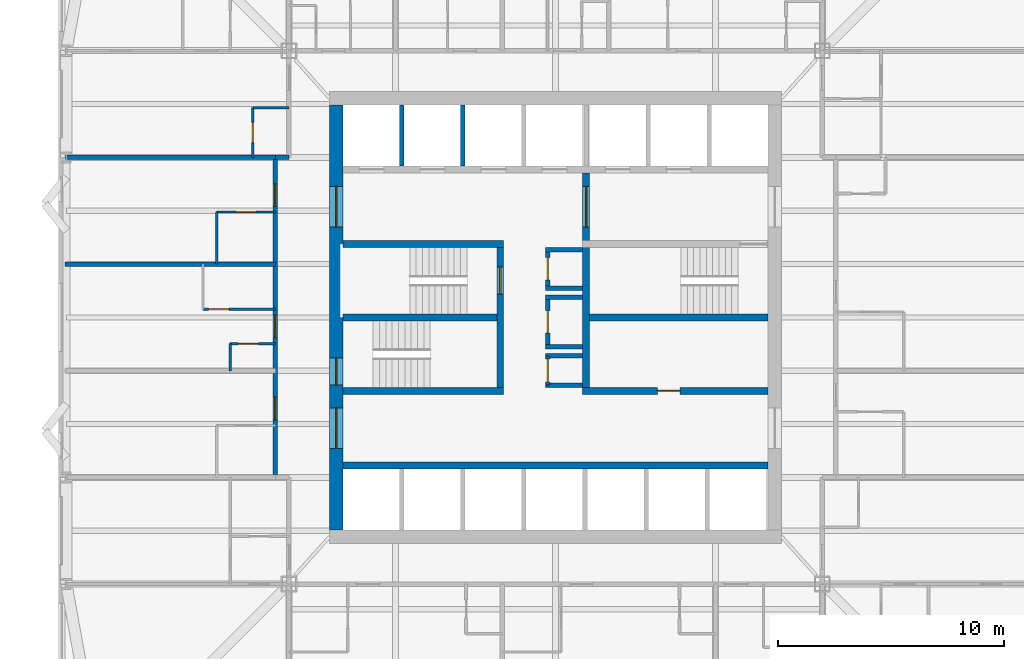
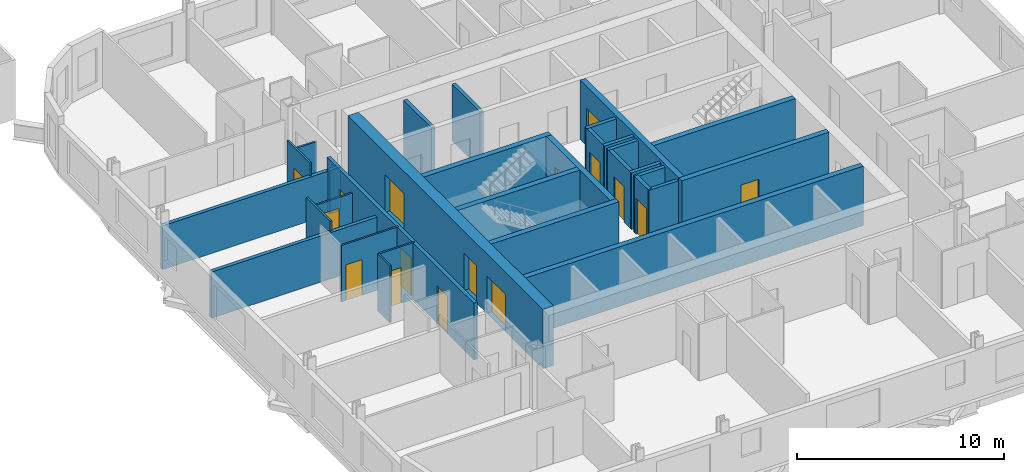
# One storey, part 4 of 9: 31 walls, 16 doors, 16 openings.
"""IFC4 building model written with IfcOpenShell, lengths in metres."""

from ifc_helpers import new_model, si_unit, direction, frame, frame_2d, origin, place, context, subcontext, project, spatial, rectangle, extrude, material, layer, layer_set, type_object, element, fill, save


model = new_model("IFC4")

# Units and contexts
model_context = context("Model", 3, precision=1e-05, world=origin(), true_north=direction((0.0, 1.0)))
body_context = subcontext(model_context, "Body", "Model", "MODEL_VIEW")
ifc_project = project(units=[si_unit("LENGTHUNIT", "METRE"), si_unit("AREAUNIT", "SQUARE_METRE"), si_unit("VOLUMEUNIT", "CUBIC_METRE"), si_unit("PLANEANGLEUNIT", "RADIAN"), si_unit("MASSUNIT", "GRAM", prefix="KILO")], contexts=[model_context])

# Site, building, storey
site_placement = place(None, origin())
site = spatial("IfcSite", under=ifc_project, at=site_placement, CompositionType="ELEMENT")
building_placement = place(site_placement, origin())
building = spatial("IfcBuilding", under=site, at=building_placement, Name="Turquesa Mirador Hotel Tower", CompositionType="ELEMENT")
storey_placement = place(building_placement, frame((0.0, 0.0, 49.5)))
storey = spatial("IfcBuildingStorey", under=building, at=storey_placement, Name="L12", CompositionType="ELEMENT", Elevation=49.5)

# Wall, opening, door
ifc_material_1 = material(Name="Gypsum board on steel studs", Category="steel")
ifc_layer_1 = layer(ifc_material_1, 0.10009765625)
ifc_layer_set_1 = layer_set([ifc_layer_1], Name="BATHROOM WALL 100")
wall_type_1 = type_object("IfcWallType", Name="BATHROOM WALL 100", PredefinedType="PARTITIONING", material=ifc_layer_set_1)
wall_1_placement = place(storey_placement, frame((40.60009765625, 43.840087890625, 0.0), z_axis=(0.0, 0.0, 1.0), x_axis=(1.0, 0.0, 0.0)))
wall_1 = element("IfcWall", 1, at=wall_1_placement, inside=storey, type_object=wall_type_1, Name="Partition L12 001", PredefinedType="PARTITIONING", context=body_context, shape_type="SweptSolid", body=[
    extrude(rectangle(XDim=2.0, YDim=0.10009765625, at=frame_2d((1.0, 0.0))), origin(), (0.0, 0.0, 1.0), 3.330078125),
])
opening_1_placement = place(wall_1_placement, frame((0.35009765625, 0.0, 0.0)))
opening_1 = element("IfcOpeningElement", 2, at=opening_1_placement, cuts=wall_1, Name="Opening D06", PredefinedType="OPENING", context=body_context, shape_type="SweptSolid", body=[
    extrude(rectangle(XDim=0.89990234375, YDim=2.10009765625, at=frame_2d((0.449951171875, 1.050048828125))), frame((0.0, 0.06005859375, 0.0), z_axis=(0.0, -1.0, 0.0), x_axis=(1.0, 0.0, 0.0)), (0.0, 0.0, 1.0), 0.1201171875),
])
ifc_material_2 = material(Name="Laminate door", Category="wood")
door_type_1 = type_object("IfcDoorType", Name="DOOR 900X2100 WC", OperationType="SINGLE_SWING_LEFT", PredefinedType="DOOR", material=ifc_material_2)
door_1_placement = place(opening_1_placement, origin())
door_1 = element("IfcDoor", 3, at=door_1_placement, inside=storey, type_object=door_type_1, Name="Door 1211W", OperationType="SINGLE_SWING_LEFT", OverallHeight=2.10009765625, OverallWidth=0.89990234375, PredefinedType="DOOR", context=body_context, shape_type="SweptSolid", body=[
    extrude(rectangle(XDim=0.89990234375, YDim=2.10009765625, at=frame_2d((0.449951171875, 1.050048828125))), frame((0.0, 0.02490234375, 0.0), z_axis=(0.0, -1.0, 0.0), x_axis=(1.0, 0.0, 0.0)), (0.0, 0.0, 1.0), 0.050048828125),
])
fill(opening_1, door_1)

wall_2_placement = place(storey_placement, frame((39.39990234375, 45.360107421875, 0.0), z_axis=(0.0, 0.0, 1.0), x_axis=(1.0, 0.0, 0.0)))
wall_2 = element("IfcWall", 4, at=wall_2_placement, inside=storey, type_object=wall_type_1, Name="Partition L12 024", PredefinedType="PARTITIONING", context=body_context, shape_type="SweptSolid", body=[
    extrude(rectangle(XDim=3.2001953125, YDim=0.10009765625, at=frame_2d((1.60009765625, 0.0))), origin(), (0.0, 0.0, 1.0), 3.330078125),
])
opening_2_placement = place(wall_2_placement, frame((0.25, 0.0, 0.0)))
opening_2 = element("IfcOpeningElement", 5, at=opening_2_placement, cuts=wall_2, Name="Opening D02", PredefinedType="OPENING", context=body_context, shape_type="SweptSolid", body=[
    extrude(rectangle(XDim=0.89990234375, YDim=2.10009765625, at=frame_2d((0.449951171875, 1.050048828125))), frame((0.0, 0.06005859375, 0.0), z_axis=(0.0, -1.0, 0.0), x_axis=(1.0, 0.0, 0.0)), (0.0, 0.0, 1.0), 0.1201171875),
])
ifc_material_3 = material(Name="Timber veneered door", Category="wood")
door_type_2 = type_object("IfcDoorType", Name="DOOR 900X2100 EN-SUITE", OperationType="SINGLE_SWING_RIGHT", PredefinedType="DOOR", material=ifc_material_3)
door_2_placement = place(opening_2_placement, origin())
door_2 = element("IfcDoor", 6, at=door_2_placement, inside=storey, type_object=door_type_2, Name="Door 1211B", OperationType="SINGLE_SWING_RIGHT", OverallHeight=2.10009765625, OverallWidth=0.89990234375, PredefinedType="DOOR", context=body_context, shape_type="SweptSolid", body=[
    extrude(rectangle(XDim=0.89990234375, YDim=2.10009765625, at=frame_2d((0.449951171875, 1.050048828125))), frame((0.0, 0.02490234375, 0.0), z_axis=(0.0, -1.0, 0.0), x_axis=(1.0, 0.0, 0.0)), (0.0, 0.0, 1.0), 0.050048828125),
])
fill(opening_2, door_2)

wall_3_placement = place(storey_placement, frame((40.0, 49.659912109375, 0.0), z_axis=(0.0, 0.0, 1.0), x_axis=(1.0, 0.0, 0.0)))
wall_3 = element("IfcWall", 7, at=wall_3_placement, inside=storey, type_object=wall_type_1, Name="Partition L12 039", PredefinedType="PARTITIONING", context=body_context, shape_type="SweptSolid", body=[
    extrude(rectangle(XDim=2.60009765625, YDim=0.10009765625, at=frame_2d((1.300048828125, 0.0))), origin(), (0.0, 0.0, 1.0), 2.722900390625),
])
opening_3_placement = place(wall_3_placement, frame((0.85009765625, 0.0, 0.0)))
opening_3 = element("IfcOpeningElement", 8, at=opening_3_placement, cuts=wall_3, Name="Opening D02", PredefinedType="OPENING", context=body_context, shape_type="SweptSolid", body=[
    extrude(rectangle(XDim=0.89990234375, YDim=2.10009765625, at=frame_2d((0.449951171875, 1.050048828125))), frame((0.0, 0.06005859375, 0.0), z_axis=(0.0, -1.0, 0.0), x_axis=(1.0, 0.0, 0.0)), (0.0, 0.0, 1.0), 0.1201171875),
])
door_3_placement = place(opening_3_placement, origin())
door_3 = element("IfcDoor", 9, at=door_3_placement, inside=storey, type_object=door_type_2, Name="Door 1212B", OperationType="SINGLE_SWING_RIGHT", OverallHeight=2.10009765625, OverallWidth=0.89990234375, PredefinedType="DOOR", context=body_context, shape_type="SweptSolid", body=[
    extrude(rectangle(XDim=0.89990234375, YDim=2.10009765625, at=frame_2d((0.449951171875, 1.050048828125))), frame((0.0, 0.02490234375, 0.0), z_axis=(0.0, -1.0, 0.0), x_axis=(1.0, 0.0, 0.0)), (0.0, 0.0, 1.0), 0.050048828125),
])
fill(opening_3, door_3)

# Wall
wall_4_placement = place(storey_placement, frame((41.60009765625, 54.280029296875, 0.0), z_axis=(0.0, 0.0, 1.0), x_axis=(1.0, 0.0, 0.0)))
element("IfcWall", 10, at=wall_4_placement, inside=storey, type_object=wall_type_1, Name="Partition L12 046", PredefinedType="PARTITIONING", context=body_context, shape_type="SweptSolid", body=[
    extrude(rectangle(XDim=1.599853515625, YDim=0.10009765625, at=frame_2d((0.7998046875, 0.0))), origin(), (0.0, 0.0, 1.0), 2.722900390625),
])

# Wall, opening, door
wall_5_placement = place(storey_placement, frame((41.60009765625, 52.080078125, 0.0), z_axis=(0.0, 0.0, 1.0), x_axis=(0.0, 1.0, 0.0)))
wall_5 = element("IfcWall", 11, at=wall_5_placement, inside=storey, type_object=wall_type_1, Name="Partition L12 055", PredefinedType="PARTITIONING", context=body_context, shape_type="SweptSolid", body=[
    extrude(rectangle(XDim=2.199951171875, YDim=0.10009765625, at=frame_2d((1.10009765625, 0.0))), origin(), (0.0, 0.0, 1.0), 3.330078125),
])
opening_4_placement = place(wall_5_placement, frame((0.64990234375, 0.0, 0.0)))
opening_4 = element("IfcOpeningElement", 12, at=opening_4_placement, cuts=wall_5, Name="Opening D06", PredefinedType="OPENING", context=body_context, shape_type="SweptSolid", body=[
    extrude(rectangle(XDim=0.89990234375, YDim=2.10009765625, at=frame_2d((0.449951171875, 1.050048828125))), frame((0.0, 0.06005859375, 0.0), z_axis=(0.0, -1.0, 0.0), x_axis=(1.0, 0.0, 0.0)), (0.0, 0.0, 1.0), 0.1201171875),
])
door_4_placement = place(opening_4_placement, origin())
door_4 = element("IfcDoor", 13, at=door_4_placement, inside=storey, type_object=door_type_1, Name="Door 1214W", OperationType="SINGLE_SWING_LEFT", OverallHeight=2.10009765625, OverallWidth=0.89990234375, PredefinedType="DOOR", context=body_context, shape_type="SweptSolid", body=[
    extrude(rectangle(XDim=0.89990234375, YDim=2.10009765625, at=frame_2d((0.449951171875, 1.050048828125))), frame((0.0, 0.02490234375, 0.0), z_axis=(0.0, -1.0, 0.0), x_axis=(1.0, 0.0, 0.0)), (0.0, 0.0, 1.0), 0.050048828125),
])
fill(opening_4, door_4)

# Walls
wall_6_placement = place(storey_placement, frame((40.60009765625, 42.639892578125, 0.0), z_axis=(0.0, 0.0, 1.0), x_axis=(0.0, 1.0, 0.0)))
element("IfcWall", 14, at=wall_6_placement, inside=storey, type_object=wall_type_1, Name="Partition L12 057", PredefinedType="PARTITIONING", context=body_context, shape_type="SweptSolid", body=[
    extrude(rectangle(XDim=1.2001953125, YDim=0.10009765625, at=frame_2d((0.60009765625, 0.0))), origin(), (0.0, 0.0, 1.0), 3.330078125),
])
wall_7_placement = place(storey_placement, frame((40.0, 47.360107421875, 0.0), z_axis=(0.0, 0.0, 1.0), x_axis=(0.0, 1.0, 0.0)))
element("IfcWall", 15, at=wall_7_placement, inside=storey, type_object=wall_type_1, Name="Partition L12 061", PredefinedType="PARTITIONING", context=body_context, shape_type="SweptSolid", body=[
    extrude(rectangle(XDim=2.2998046875, YDim=0.10009765625, at=frame_2d((1.14990234375, 0.0))), origin(), (0.0, 0.0, 1.0), 3.330078125),
])
ifc_material_4 = material(Name="Concrete C50/60", Category="concrete")
ifc_layer_2 = layer(ifc_material_4, 0.300048828125)
ifc_layer_set_2 = layer_set([ifc_layer_2], Name="CORE INNER WALL 300")
wall_type_2 = type_object("IfcWallType", Name="CORE INNER WALL 300", PredefinedType="SHEAR", material=ifc_layer_set_2)
wall_8_placement = place(storey_placement, frame((45.60009765625, 38.449951171875, 0.0), z_axis=(0.0, 0.0, 1.0), x_axis=(1.0, 0.0, 0.0)))
element("IfcWall", 16, at=wall_8_placement, inside=storey, type_object=wall_type_2, Name="Core wall SL", PredefinedType="SHEAR", context=body_context, shape_type="SweptSolid", body=[
    extrude(rectangle(XDim=18.7998046875, YDim=0.300048828125, at=frame_2d((9.39990234375, 0.0))), origin(), (0.0, 0.0, 1.0), 3.5),
])
for number, where, z_axis, x_axis, name in (
    (17, (45.60009765625, 48.25, 0.0), (0.0, 0.0, 1.0), (1.0, 0.0, 0.0), "Core wall MN-W"),
    (18, (45.60009765625, 41.75, 0.0), (0.0, 0.0, 1.0), (1.0, 0.0, 0.0), "Core wall MS-W"),
):
    element("IfcWall", number, at=place(storey_placement, frame(where, z_axis=z_axis, x_axis=x_axis)), inside=storey, type_object=wall_type_2, Name=name, PredefinedType="SHEAR", context=body_context, shape_type="SweptSolid", body=[
        extrude(rectangle(XDim=7.099853515625, YDim=0.300048828125, at=frame_2d((3.5498046875, 0.0))), origin(), (0.0, 0.0, 1.0), 3.5),
    ])

# Wall, opening, door
wall_9_placement = place(storey_placement, frame((56.199951171875, 41.75, 0.0), z_axis=(0.0, 0.0, 1.0), x_axis=(1.0, 0.0, 0.0)))
wall_9 = element("IfcWall", 19, at=wall_9_placement, inside=storey, type_object=wall_type_2, Name="Core wall MS-E", PredefinedType="SHEAR", context=body_context, shape_type="SweptSolid", body=[
    extrude(rectangle(XDim=8.199951171875, YDim=0.300048828125, at=frame_2d((4.10009765625, 0.0))), origin(), (0.0, 0.0, 1.0), 3.5),
])
opening_5_placement = place(wall_9_placement, frame((3.300048828125, 0.0, 0.0)))
opening_5 = element("IfcOpeningElement", 20, at=opening_5_placement, cuts=wall_9, Name="Opening D05", PredefinedType="OPENING", context=body_context, shape_type="SweptSolid", body=[
    extrude(rectangle(XDim=1.0, YDim=2.10009765625, at=frame_2d((0.5, 1.050048828125))), frame((0.0, 0.159912109375, 0.0), z_axis=(0.0, -1.0, 0.0), x_axis=(1.0, 0.0, 0.0)), (0.0, 0.0, 1.0), 0.320068359375),
])
ifc_material_5 = material(Name="Steel fire door", Category="steel")
door_type_3 = type_object("IfcDoorType", Name="DOOR 1000X2100 SERVICE", OperationType="SINGLE_SWING_LEFT", PredefinedType="DOOR", material=ifc_material_5)
door_5_placement = place(opening_5_placement, origin())
door_5 = element("IfcDoor", 21, at=door_5_placement, inside=storey, type_object=door_type_3, Name="Housekeeping room door", OperationType="SINGLE_SWING_LEFT", OverallHeight=2.10009765625, OverallWidth=1.0, PredefinedType="DOOR", context=body_context, shape_type="SweptSolid", body=[
    extrude(rectangle(XDim=1.0, YDim=2.10009765625, at=frame_2d((0.5, 1.050048828125))), frame((0.0, 0.02490234375, 0.0), z_axis=(0.0, -1.0, 0.0), x_axis=(1.0, 0.0, 0.0)), (0.0, 0.0, 1.0), 0.050048828125),
])
fill(opening_5, door_5)

wall_10_placement = place(storey_placement, frame((52.550048828125, 41.89990234375, 0.0), z_axis=(0.0, 0.0, 1.0), x_axis=(0.0, 1.0, 0.0)))
wall_10 = element("IfcWall", 22, at=wall_10_placement, inside=storey, type_object=wall_type_2, Name="Core wall PW", PredefinedType="SHEAR", context=body_context, shape_type="SweptSolid", body=[
    extrude(rectangle(XDim=6.2001953125, YDim=0.300048828125, at=frame_2d((3.10009765625, 0.0))), origin(), (0.0, 0.0, 1.0), 3.5),
])
opening_6_placement = place(wall_10_placement, frame((4.125, 0.0, 0.0)))
opening_6 = element("IfcOpeningElement", 23, at=opening_6_placement, cuts=wall_10, Name="Opening D03", PredefinedType="OPENING", context=body_context, shape_type="SweptSolid", body=[
    extrude(rectangle(XDim=1.199951171875, YDim=2.199951171875, at=frame_2d((0.60009765625, 1.10009765625))), frame((0.0, 0.159912109375, 0.0), z_axis=(0.0, -1.0, 0.0), x_axis=(1.0, 0.0, 0.0)), (0.0, 0.0, 1.0), 0.320068359375),
])
ifc_material_6 = material(Name="Steel fire door", Category="steel")
door_type_4 = type_object("IfcDoorType", Name="DOOR 1200X2200 STAIR", OperationType="SINGLE_SWING_LEFT", PredefinedType="DOOR", material=ifc_material_6)
door_6_placement = place(opening_6_placement, origin())
door_6 = element("IfcDoor", 24, at=door_6_placement, inside=storey, type_object=door_type_4, Name="Stair ST1 door", OperationType="SINGLE_SWING_LEFT", OverallHeight=2.199951171875, OverallWidth=1.199951171875, PredefinedType="DOOR", context=body_context, shape_type="SweptSolid", body=[
    extrude(rectangle(XDim=1.199951171875, YDim=2.199951171875, at=frame_2d((0.60009765625, 1.10009765625))), frame((0.0, 0.02490234375, 0.0), z_axis=(0.0, -1.0, 0.0), x_axis=(1.0, 0.0, 0.0)), (0.0, 0.0, 1.0), 0.050048828125),
])
fill(opening_6, door_6)

wall_11_placement = place(storey_placement, frame((56.35009765625, 41.89990234375, 0.0), z_axis=(0.0, 0.0, 1.0), x_axis=(0.0, 1.0, 0.0)))
wall_11 = element("IfcWall", 25, at=wall_11_placement, inside=storey, type_object=wall_type_2, Name="Core wall PE", PredefinedType="SHEAR", context=body_context, shape_type="SweptSolid", body=[
    extrude(rectangle(XDim=9.5, YDim=0.300048828125, at=frame_2d((4.75, 0.0))), origin(), (0.0, 0.0, 1.0), 3.5),
])
opening_7_placement = place(wall_11_placement, frame((7.10009765625, 0.0, 0.0)))
opening_7 = element("IfcOpeningElement", 26, at=opening_7_placement, cuts=wall_11, Name="Opening D04", PredefinedType="OPENING", context=body_context, shape_type="SweptSolid", body=[
    extrude(rectangle(XDim=1.800048828125, YDim=2.199951171875, at=frame_2d((0.89990234375, 1.10009765625))), frame((0.0, 0.159912109375, 0.0), z_axis=(0.0, -1.0, 0.0), x_axis=(1.0, 0.0, 0.0)), (0.0, 0.0, 1.0), 0.320068359375),
])
ifc_material_7 = material(Name="Steel fire door pair", Category="steel")
door_type_5 = type_object("IfcDoorType", Name="DOOR 1800X2200 PAIR", OperationType="DOUBLE_DOOR_SINGLE_SWING", PredefinedType="DOOR", material=ifc_material_7)
door_7_placement = place(opening_7_placement, origin())
door_7 = element("IfcDoor", 27, at=door_7_placement, inside=storey, type_object=door_type_5, Name="Firefighting lobby inner door", OperationType="DOUBLE_DOOR_SINGLE_SWING", OverallHeight=2.199951171875, OverallWidth=1.800048828125, PredefinedType="DOOR", context=body_context, shape_type="SweptSolid", body=[
    extrude(rectangle(XDim=1.800048828125, YDim=2.199951171875, at=frame_2d((0.89990234375, 1.10009765625))), frame((0.0, 0.02490234375, 0.0), z_axis=(0.0, -1.0, 0.0), x_axis=(1.0, 0.0, 0.0)), (0.0, 0.0, 1.0), 0.050048828125),
])
fill(opening_7, door_7)

# Walls
wall_12_placement = place(storey_placement, frame((45.60009765625, 45.0, 0.0), z_axis=(0.0, 0.0, 1.0), x_axis=(1.0, 0.0, 0.0)))
element("IfcWall", 28, at=wall_12_placement, inside=storey, type_object=wall_type_2, Name="Core wall M0-W", PredefinedType="SHEAR", context=body_context, shape_type="SweptSolid", body=[
    extrude(rectangle(XDim=6.7998046875, YDim=0.300048828125, at=frame_2d((3.39990234375, 0.0))), origin(), (0.0, 0.0, 1.0), 3.5),
])
wall_13_placement = place(storey_placement, frame((56.5, 45.0, 0.0), z_axis=(0.0, 0.0, 1.0), x_axis=(1.0, 0.0, 0.0)))
element("IfcWall", 29, at=wall_13_placement, inside=storey, type_object=wall_type_2, Name="Core wall M0-E", PredefinedType="SHEAR", context=body_context, shape_type="SweptSolid", body=[
    extrude(rectangle(XDim=7.89990234375, YDim=0.300048828125, at=frame_2d((3.949951171875, 0.0))), origin(), (0.0, 0.0, 1.0), 3.5),
])

# Wall, openings, doors
ifc_material_8 = material(Name="Concrete C50/60", Category="concrete")
ifc_layer_3 = layer(ifc_material_8, 0.60009765625)
ifc_layer_set_3 = layer_set([ifc_layer_3], Name="CORE WALL 600")
wall_type_3 = type_object("IfcWallType", Name="CORE WALL 600", PredefinedType="SHEAR", material=ifc_layer_set_3)
wall_14_placement = place(storey_placement, frame((45.300048828125, 35.60009765625, 0.0), z_axis=(0.0, 0.0, 1.0), x_axis=(0.0, 1.0, 0.0)))
wall_14 = element("IfcWall", 30, at=wall_14_placement, inside=storey, type_object=wall_type_3, Name="Core wall W", PredefinedType="SHEAR", context=body_context, shape_type="SweptSolid", body=[
    extrude(rectangle(XDim=18.7998046875, YDim=0.60009765625, at=frame_2d((9.39990234375, 0.0))), origin(), (0.0, 0.0, 1.0), 3.5),
])
opening_8_placement = place(wall_14_placement, frame((13.39990234375, 0.0, 0.0)))
opening_8 = element("IfcOpeningElement", 31, at=opening_8_placement, cuts=wall_14, Name="Opening D04", PredefinedType="OPENING", context=body_context, shape_type="SweptSolid", body=[
    extrude(rectangle(XDim=1.800048828125, YDim=2.199951171875, at=frame_2d((0.89990234375, 1.10009765625))), frame((0.0, 0.31005859375, 0.0), z_axis=(0.0, -1.0, 0.0), x_axis=(1.0, 0.0, 0.0)), (0.0, 0.0, 1.0), 0.6201171875),
])
opening_9_placement = place(wall_14_placement, frame((3.60009765625, 0.0, 0.0)))
opening_9 = element("IfcOpeningElement", 32, at=opening_9_placement, cuts=wall_14, Name="Opening D04", PredefinedType="OPENING", context=body_context, shape_type="SweptSolid", body=[
    extrude(rectangle(XDim=1.800048828125, YDim=2.199951171875, at=frame_2d((0.89990234375, 1.10009765625))), frame((0.0, 0.31005859375, 0.0), z_axis=(0.0, -1.0, 0.0), x_axis=(1.0, 0.0, 0.0)), (0.0, 0.0, 1.0), 0.6201171875),
])
opening_10_placement = place(wall_14_placement, frame((6.39990234375, 0.0, 0.0)))
opening_10 = element("IfcOpeningElement", 33, at=opening_10_placement, cuts=wall_14, Name="Opening D03", PredefinedType="OPENING", context=body_context, shape_type="SweptSolid", body=[
    extrude(rectangle(XDim=1.199951171875, YDim=2.199951171875, at=frame_2d((0.60009765625, 1.10009765625))), frame((0.0, 0.31005859375, 0.0), z_axis=(0.0, -1.0, 0.0), x_axis=(1.0, 0.0, 0.0)), (0.0, 0.0, 1.0), 0.6201171875),
])
door_8_placement = place(opening_10_placement, origin())
door_8 = element("IfcDoor", 34, at=door_8_placement, inside=storey, type_object=door_type_4, Name="Stair ST2 door", OperationType="SINGLE_SWING_LEFT", OverallHeight=2.199951171875, OverallWidth=1.199951171875, PredefinedType="DOOR", context=body_context, shape_type="SweptSolid", body=[
    extrude(rectangle(XDim=1.199951171875, YDim=2.199951171875, at=frame_2d((0.60009765625, 1.10009765625))), frame((0.0, 0.02490234375, 0.0), z_axis=(0.0, -1.0, 0.0), x_axis=(1.0, 0.0, 0.0)), (0.0, 0.0, 1.0), 0.050048828125),
])
fill(opening_10, door_8)
door_9_placement = place(opening_8_placement, origin())
door_9 = element("IfcDoor", 35, at=door_9_placement, inside=storey, type_object=door_type_5, Name="North lift lobby door", OperationType="DOUBLE_DOOR_SINGLE_SWING", OverallHeight=2.199951171875, OverallWidth=1.800048828125, PredefinedType="DOOR", context=body_context, shape_type="SweptSolid", body=[
    extrude(rectangle(XDim=1.800048828125, YDim=2.199951171875, at=frame_2d((0.89990234375, 1.10009765625))), frame((0.0, 0.02490234375, 0.0), z_axis=(0.0, -1.0, 0.0), x_axis=(1.0, 0.0, 0.0)), (0.0, 0.0, 1.0), 0.050048828125),
])
fill(opening_8, door_9)
door_10_placement = place(opening_9_placement, origin())
door_10 = element("IfcDoor", 36, at=door_10_placement, inside=storey, type_object=door_type_5, Name="South lift lobby door", OperationType="DOUBLE_DOOR_SINGLE_SWING", OverallHeight=2.199951171875, OverallWidth=1.800048828125, PredefinedType="DOOR", context=body_context, shape_type="SweptSolid", body=[
    extrude(rectangle(XDim=1.800048828125, YDim=2.199951171875, at=frame_2d((0.89990234375, 1.10009765625))), frame((0.0, 0.02490234375, 0.0), z_axis=(0.0, -1.0, 0.0), x_axis=(1.0, 0.0, 0.0)), (0.0, 0.0, 1.0), 0.050048828125),
])
fill(opening_9, door_10)

# Wall
ifc_material_9 = material(Name="Fire-rated gypsum board on steel studs", Category="steel")
ifc_layer_4 = layer(ifc_material_9, 0.199951171875)
ifc_layer_set_4 = layer_set([ifc_layer_4], Name="CORRIDOR WALL 200")
wall_type_4 = type_object("IfcWallType", Name="CORRIDOR WALL 200", PredefinedType="PARTITIONING", material=ifc_layer_set_4)
wall_15_placement = place(storey_placement, frame((42.60009765625, 52.080078125, 0.0), z_axis=(0.0, 0.0, 1.0), x_axis=(1.0, 0.0, 0.0)))
element("IfcWall", 37, at=wall_15_placement, inside=storey, type_object=wall_type_4, Name="Partition L12 041", PredefinedType="PARTITIONING", context=body_context, shape_type="SweptSolid", body=[
    extrude(rectangle(XDim=0.599853515625, YDim=0.199951171875, at=frame_2d((0.2998046875, 0.0))), origin(), (0.0, 0.0, 1.0), 2.572998046875),
])

# Wall, openings, doors
wall_16_placement = place(storey_placement, frame((42.60009765625, 37.919921875, 0.0), z_axis=(0.0, 0.0, 1.0), x_axis=(0.0, 1.0, 0.0)))
wall_16 = element("IfcWall", 38, at=wall_16_placement, inside=storey, type_object=wall_type_4, Name="Partition L12 054", PredefinedType="PARTITIONING", context=body_context, shape_type="SweptSolid", body=[
    extrude(rectangle(XDim=14.16015625, YDim=0.199951171875, at=frame_2d((7.080078125, 0.0))), origin(), (0.0, 0.0, 1.0), 3.330078125),
])
opening_11_placement = place(wall_16_placement, frame((2.550048828125, 0.0, 0.0)))
opening_11 = element("IfcOpeningElement", 39, at=opening_11_placement, cuts=wall_16, Name="Opening D01", PredefinedType="OPENING", context=body_context, shape_type="SweptSolid", body=[
    extrude(rectangle(XDim=1.0, YDim=2.199951171875, at=frame_2d((0.5, 1.10009765625))), frame((0.0, 0.10986328125, 0.0), z_axis=(0.0, -1.0, 0.0), x_axis=(1.0, 0.0, 0.0)), (0.0, 0.0, 1.0), 0.219970703125),
])
opening_12_placement = place(wall_16_placement, frame((6.179931640625, 0.0, 0.0)))
opening_12 = element("IfcOpeningElement", 40, at=opening_12_placement, cuts=wall_16, Name="Opening D01", PredefinedType="OPENING", context=body_context, shape_type="SweptSolid", body=[
    extrude(rectangle(XDim=1.0, YDim=2.199951171875, at=frame_2d((0.5, 1.10009765625))), frame((0.0, 0.10986328125, 0.0), z_axis=(0.0, -1.0, 0.0), x_axis=(1.0, 0.0, 0.0)), (0.0, 0.0, 1.0), 0.219970703125),
])
opening_13_placement = place(wall_16_placement, frame((11.989990234375, 0.0, 0.0)))
opening_13 = element("IfcOpeningElement", 41, at=opening_13_placement, cuts=wall_16, Name="Opening D01", PredefinedType="OPENING", context=body_context, shape_type="SweptSolid", body=[
    extrude(rectangle(XDim=1.0, YDim=2.199951171875, at=frame_2d((0.5, 1.10009765625))), frame((0.0, 0.10986328125, 0.0), z_axis=(0.0, -1.0, 0.0), x_axis=(1.0, 0.0, 0.0)), (0.0, 0.0, 1.0), 0.219970703125),
])
ifc_material_10 = material(Name="Timber veneered fire door", Category="wood")
door_type_6 = type_object("IfcDoorType", Name="DOOR 1000X2200 GUEST ENTRY", OperationType="SINGLE_SWING_LEFT", PredefinedType="DOOR", material=ifc_material_10)
door_11_placement = place(opening_11_placement, origin())
door_11 = element("IfcDoor", 42, at=door_11_placement, inside=storey, type_object=door_type_6, Name="Door 1210", OperationType="SINGLE_SWING_LEFT", OverallHeight=2.199951171875, OverallWidth=1.0, PredefinedType="DOOR", context=body_context, shape_type="SweptSolid", body=[
    extrude(rectangle(XDim=1.0, YDim=2.199951171875, at=frame_2d((0.5, 1.10009765625))), frame((0.0, 0.02490234375, 0.0), z_axis=(0.0, -1.0, 0.0), x_axis=(1.0, 0.0, 0.0)), (0.0, 0.0, 1.0), 0.050048828125),
])
fill(opening_11, door_11)
door_12_placement = place(opening_12_placement, origin())
door_12 = element("IfcDoor", 43, at=door_12_placement, inside=storey, type_object=door_type_6, Name="Door 1211", OperationType="SINGLE_SWING_LEFT", OverallHeight=2.199951171875, OverallWidth=1.0, PredefinedType="DOOR", context=body_context, shape_type="SweptSolid", body=[
    extrude(rectangle(XDim=1.0, YDim=2.199951171875, at=frame_2d((0.5, 1.10009765625))), frame((0.0, 0.02490234375, 0.0), z_axis=(0.0, -1.0, 0.0), x_axis=(1.0, 0.0, 0.0)), (0.0, 0.0, 1.0), 0.050048828125),
])
fill(opening_12, door_12)
door_13_placement = place(opening_13_placement, origin())
door_13 = element("IfcDoor", 44, at=door_13_placement, inside=storey, type_object=door_type_6, Name="Door 1212", OperationType="SINGLE_SWING_LEFT", OverallHeight=2.199951171875, OverallWidth=1.0, PredefinedType="DOOR", context=body_context, shape_type="SweptSolid", body=[
    extrude(rectangle(XDim=1.0, YDim=2.199951171875, at=frame_2d((0.5, 1.10009765625))), frame((0.0, 0.02490234375, 0.0), z_axis=(0.0, -1.0, 0.0), x_axis=(1.0, 0.0, 0.0)), (0.0, 0.0, 1.0), 0.050048828125),
])
fill(opening_13, door_13)

# Wall, opening, door
ifc_material_11 = material(Name="Fire-rated gypsum board on steel studs", Category="steel")
ifc_layer_5 = layer(ifc_material_11, 0.199951171875)
ifc_layer_set_5 = layer_set([ifc_layer_5], Name="FIRE PARTITION 200")
wall_type_5 = type_object("IfcWallType", Name="FIRE PARTITION 200", PredefinedType="PARTITIONING", material=ifc_layer_set_5)
wall_17_placement = place(storey_placement, frame((54.64990234375, 42.0, 0.0), z_axis=(0.0, 0.0, 1.0), x_axis=(0.0, 1.0, 0.0)))
wall_17 = element("IfcWall", 45, at=wall_17_placement, inside=storey, type_object=wall_type_5, Name="Partition L12 CM W", PredefinedType="PARTITIONING", context=body_context, shape_type="SweptSolid", body=[
    extrude(rectangle(XDim=1.300048828125, YDim=0.199951171875, at=frame_2d((0.64990234375, 0.0))), origin(), (0.0, 0.0, 1.0), 3.330078125),
])
opening_14_placement = place(wall_17_placement, frame((0.14990234375, 0.0, 0.0)))
opening_14 = element("IfcOpeningElement", 46, at=opening_14_placement, cuts=wall_17, Name="Opening D05", PredefinedType="OPENING", context=body_context, shape_type="SweptSolid", body=[
    extrude(rectangle(XDim=1.0, YDim=2.10009765625, at=frame_2d((0.5, 1.050048828125))), frame((0.0, 0.10986328125, 0.0), z_axis=(0.0, -1.0, 0.0), x_axis=(1.0, 0.0, 0.0)), (0.0, 0.0, 1.0), 0.219970703125),
])
door_14_placement = place(opening_14_placement, origin())
door_14 = element("IfcDoor", 47, at=door_14_placement, inside=storey, type_object=door_type_3, Name="Comms room door", OperationType="SINGLE_SWING_LEFT", OverallHeight=2.10009765625, OverallWidth=1.0, PredefinedType="DOOR", context=body_context, shape_type="SweptSolid", body=[
    extrude(rectangle(XDim=1.0, YDim=2.10009765625, at=frame_2d((0.5, 1.050048828125))), frame((0.0, 0.02490234375, 0.0), z_axis=(0.0, -1.0, 0.0), x_axis=(1.0, 0.0, 0.0)), (0.0, 0.0, 1.0), 0.050048828125),
])
fill(opening_14, door_14)

# Walls
for number, where, z_axis, x_axis, name in (
    (48, (54.550048828125, 42.0, 0.0), (0.0, 0.0, 1.0), (1.0, 0.0, 0.0), "Partition L12 CM S"),
    (49, (54.550048828125, 43.300048828125, 0.0), (0.0, 0.0, 1.0), (1.0, 0.0, 0.0), "Partition L12 CM N"),
):
    element("IfcWall", number, at=place(storey_placement, frame(where, z_axis=z_axis, x_axis=x_axis)), inside=storey, type_object=wall_type_5, Name=name, PredefinedType="PARTITIONING", context=body_context, shape_type="SweptSolid", body=[
        extrude(rectangle(XDim=1.64990234375, YDim=0.199951171875, at=frame_2d((0.824951171875, 0.0))), origin(), (0.0, 0.0, 1.0), 3.330078125),
    ])

# Wall, opening, door
wall_18_placement = place(storey_placement, frame((54.64990234375, 43.699951171875, 0.0), z_axis=(0.0, 0.0, 1.0), x_axis=(0.0, 1.0, 0.0)))
wall_18 = element("IfcWall", 50, at=wall_18_placement, inside=storey, type_object=wall_type_5, Name="Partition L12 VD W", PredefinedType="PARTITIONING", context=body_context, shape_type="SweptSolid", body=[
    extrude(rectangle(XDim=2.199951171875, YDim=0.199951171875, at=frame_2d((1.10009765625, 0.0))), origin(), (0.0, 0.0, 1.0), 3.330078125),
])
opening_15_placement = place(wall_18_placement, frame((0.60009765625, 0.0, 0.0)))
opening_15 = element("IfcOpeningElement", 51, at=opening_15_placement, cuts=wall_18, Name="Opening D05", PredefinedType="OPENING", context=body_context, shape_type="SweptSolid", body=[
    extrude(rectangle(XDim=1.0, YDim=2.10009765625, at=frame_2d((0.5, 1.050048828125))), frame((0.0, 0.10986328125, 0.0), z_axis=(0.0, -1.0, 0.0), x_axis=(1.0, 0.0, 0.0)), (0.0, 0.0, 1.0), 0.219970703125),
])
door_15_placement = place(opening_15_placement, origin())
door_15 = element("IfcDoor", 52, at=door_15_placement, inside=storey, type_object=door_type_3, Name="Ice and vending room door", OperationType="SINGLE_SWING_LEFT", OverallHeight=2.10009765625, OverallWidth=1.0, PredefinedType="DOOR", context=body_context, shape_type="SweptSolid", body=[
    extrude(rectangle(XDim=1.0, YDim=2.10009765625, at=frame_2d((0.5, 1.050048828125))), frame((0.0, 0.02490234375, 0.0), z_axis=(0.0, -1.0, 0.0), x_axis=(1.0, 0.0, 0.0)), (0.0, 0.0, 1.0), 0.050048828125),
])
fill(opening_15, door_15)

# Walls
for number, where, z_axis, x_axis, name in (
    (53, (54.550048828125, 43.699951171875, 0.0), (0.0, 0.0, 1.0), (1.0, 0.0, 0.0), "Partition L12 VD S"),
    (54, (54.550048828125, 45.89990234375, 0.0), (0.0, 0.0, 1.0), (1.0, 0.0, 0.0), "Partition L12 VD N"),
):
    element("IfcWall", number, at=place(storey_placement, frame(where, z_axis=z_axis, x_axis=x_axis)), inside=storey, type_object=wall_type_5, Name=name, PredefinedType="PARTITIONING", context=body_context, shape_type="SweptSolid", body=[
        extrude(rectangle(XDim=1.64990234375, YDim=0.199951171875, at=frame_2d((0.824951171875, 0.0))), origin(), (0.0, 0.0, 1.0), 3.330078125),
    ])

# Wall, opening, door
wall_19_placement = place(storey_placement, frame((54.64990234375, 46.300048828125, 0.0), z_axis=(0.0, 0.0, 1.0), x_axis=(0.0, 1.0, 0.0)))
wall_19 = element("IfcWall", 55, at=wall_19_placement, inside=storey, type_object=wall_type_5, Name="Partition L12 CL W", PredefinedType="PARTITIONING", context=body_context, shape_type="SweptSolid", body=[
    extrude(rectangle(XDim=1.699951171875, YDim=0.199951171875, at=frame_2d((0.85009765625, 0.0))), origin(), (0.0, 0.0, 1.0), 3.330078125),
])
opening_16_placement = place(wall_19_placement, frame((0.35009765625, 0.0, 0.0)))
opening_16 = element("IfcOpeningElement", 56, at=opening_16_placement, cuts=wall_19, Name="Opening D05", PredefinedType="OPENING", context=body_context, shape_type="SweptSolid", body=[
    extrude(rectangle(XDim=1.0, YDim=2.10009765625, at=frame_2d((0.5, 1.050048828125))), frame((0.0, 0.10986328125, 0.0), z_axis=(0.0, -1.0, 0.0), x_axis=(1.0, 0.0, 0.0)), (0.0, 0.0, 1.0), 0.219970703125),
])
door_16_placement = place(opening_16_placement, origin())
door_16 = element("IfcDoor", 57, at=door_16_placement, inside=storey, type_object=door_type_3, Name="Cleaner's cupboard door", OperationType="SINGLE_SWING_LEFT", OverallHeight=2.10009765625, OverallWidth=1.0, PredefinedType="DOOR", context=body_context, shape_type="SweptSolid", body=[
    extrude(rectangle(XDim=1.0, YDim=2.10009765625, at=frame_2d((0.5, 1.050048828125))), frame((0.0, 0.02490234375, 0.0), z_axis=(0.0, -1.0, 0.0), x_axis=(1.0, 0.0, 0.0)), (0.0, 0.0, 1.0), 0.050048828125),
])
fill(opening_16, door_16)

# Walls
for number, where, z_axis, x_axis, name in (
    (58, (54.550048828125, 46.300048828125, 0.0), (0.0, 0.0, 1.0), (1.0, 0.0, 0.0), "Partition L12 CL S"),
    (59, (54.550048828125, 48.0, 0.0), (0.0, 0.0, 1.0), (1.0, 0.0, 0.0), "Partition L12 CL N"),
):
    element("IfcWall", number, at=place(storey_placement, frame(where, z_axis=z_axis, x_axis=x_axis)), inside=storey, type_object=wall_type_5, Name=name, PredefinedType="PARTITIONING", context=body_context, shape_type="SweptSolid", body=[
        extrude(rectangle(XDim=1.64990234375, YDim=0.199951171875, at=frame_2d((0.824951171875, 0.0))), origin(), (0.0, 0.0, 1.0), 3.330078125),
    ])
ifc_material_12 = material(Name="Fire-rated gypsum shaft wall on steel studs", Category="steel")
ifc_layer_6 = layer(ifc_material_12, 0.199951171875)
ifc_layer_set_6 = layer_set([ifc_layer_6], Name="LIFT SHAFT DIVIDER 200")
wall_type_6 = type_object("IfcWallType", Name="LIFT SHAFT DIVIDER 200", PredefinedType="PARTITIONING", material=ifc_layer_set_6)
for number, where, z_axis, x_axis, name in (
    (60, (48.199951171875, 51.699951171875, 0.0), (0.0, 0.0, 1.0), (0.0, 1.0, 0.0), "Lift shaft divider"),
    (61, (50.89990234375, 51.699951171875, 0.0), (0.0, 0.0, 1.0), (0.0, 1.0, 0.0), "Lift shaft divider"),
):
    element("IfcWall", number, at=place(storey_placement, frame(where, z_axis=z_axis, x_axis=x_axis)), inside=storey, type_object=wall_type_6, Name=name, PredefinedType="PARTITIONING", context=body_context, shape_type="SweptSolid", body=[
        extrude(rectangle(XDim=2.699951171875, YDim=0.199951171875, at=frame_2d((1.35009765625, 0.0))), origin(), (0.0, 0.0, 1.0), 3.330078125),
    ])
ifc_material_13 = material(Name="Fire-rated gypsum board on steel studs", Category="steel")
ifc_layer_7 = layer(ifc_material_13, 0.199951171875)
ifc_layer_set_7 = layer_set([ifc_layer_7], Name="PARTY WALL 200")
wall_type_7 = type_object("IfcWallType", Name="PARTY WALL 200", PredefinedType="PARTITIONING", material=ifc_layer_set_7)
wall_20_placement = place(storey_placement, frame((33.300048828125, 47.360107421875, 0.0), z_axis=(0.0, 0.0, 1.0), x_axis=(1.0, 0.0, 0.0)))
element("IfcWall", 62, at=wall_20_placement, inside=storey, type_object=wall_type_7, Name="Partition L12 038", PredefinedType="PARTITIONING", context=body_context, shape_type="SweptSolid", body=[
    extrude(rectangle(XDim=9.300048828125, YDim=0.199951171875, at=frame_2d((4.64990234375, 0.0))), origin(), (0.0, 0.0, 1.0), 2.722900390625),
])
wall_21_placement = place(storey_placement, frame((33.300048828125, 52.080078125, 0.0), z_axis=(0.0, 0.0, 1.0), x_axis=(1.0, 0.0, 0.0)))
element("IfcWall", 63, at=wall_21_placement, inside=storey, type_object=wall_type_7, Name="Partition L12 043", PredefinedType="PARTITIONING", context=body_context, shape_type="SweptSolid", body=[
    extrude(rectangle(XDim=9.300048828125, YDim=0.199951171875, at=frame_2d((4.64990234375, 0.0))), origin(), (0.0, 0.0, 1.0), 2.572998046875),
])

save(model, "model.ifc")
